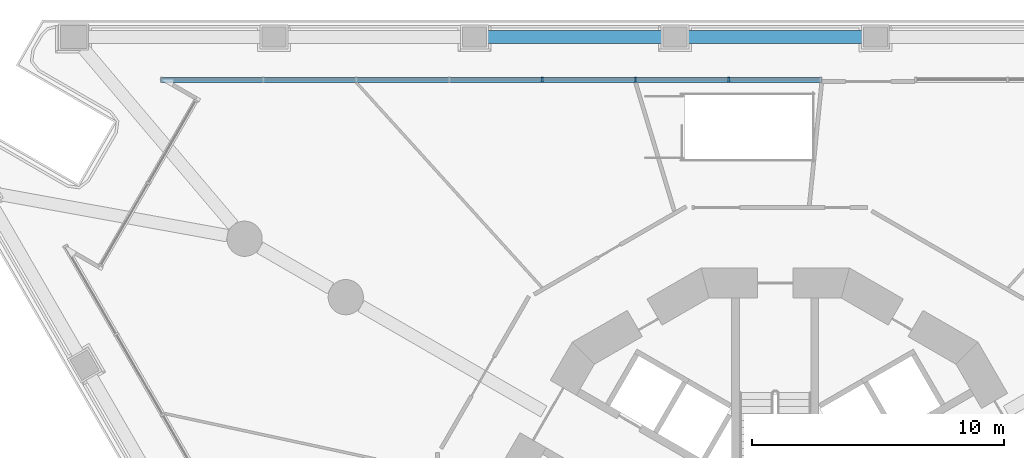
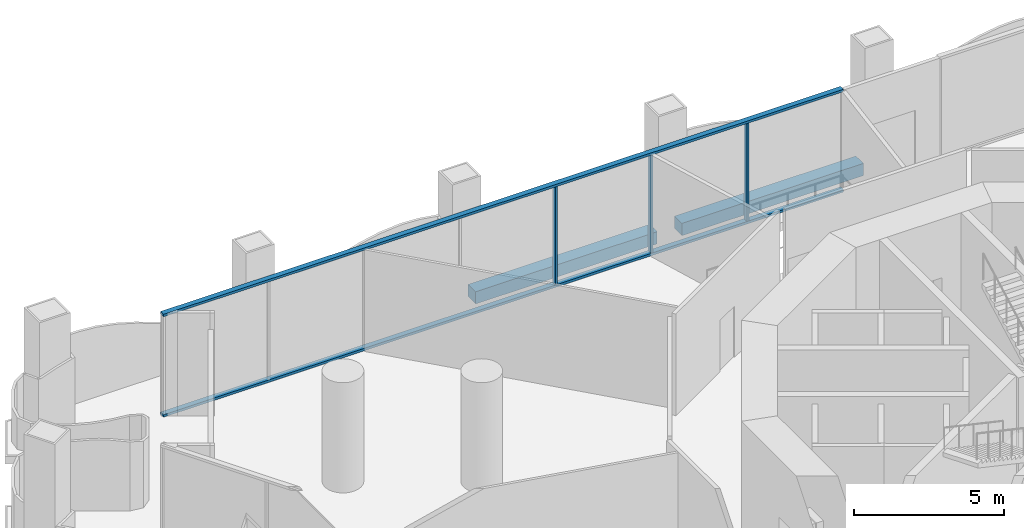
# One storey, part 6 of 21: 5 members, 2 beams, 1 element without a shape of its own.
"""IFC4 building model written with IfcOpenShell, lengths in metres."""

import ifcopenshell
import ifcopenshell.guid

model = None  # the IFC model being written
_history = None  # IfcOwnerHistory: only IFC2X3 demands one
_inside = {}  # id of a spatial element -> (the spatial element, [elements in it])
_under = {}  # id of a project, library or spatial element -> (it, [spatial elements below it])
_declared = {}  # id of a project -> (the project, [libraries it declares])
_typed = {}  # id of a type object -> (the type object, [elements of that type])
_made_of = {}  # id of a material, layer set ... -> (it, [elements and type objects made of it])


def new_model(schema):
    """Start an empty IFC model of exactly this schema.

    Asked for "IFC4X3", IfcOpenShell would pick the latest addendum, in which some entities
    have other attributes; the version numbers below select the first issue.
    IFC2X3 requires an IfcOwnerHistory on every rooted entity: one is made here for all.
    """
    global model, _history
    if schema == "IFC4X3":
        model = ifcopenshell.file(schema_version=(4, 3, 0, 0))
    else:
        model = ifcopenshell.file(schema=schema)
    _inside.clear()
    _under.clear()
    _declared.clear()
    _typed.clear()
    _made_of.clear()
    _history = None
    if model.schema == "IFC2X3":
        org = make("IfcOrganization", Name="unknown")
        user = make(
            "IfcPersonAndOrganization",
            ThePerson=make("IfcPerson", FamilyName="unknown"),
            TheOrganization=org,
        )
        app = make(
            "IfcApplication",
            ApplicationDeveloper=org,
            Version="unknown",
            ApplicationFullName="unknown",
            ApplicationIdentifier="unknown",
        )
        _history = make(
            "IfcOwnerHistory",
            OwningUser=user,
            OwningApplication=app,
            ChangeAction="ADDED",
            CreationDate=0,
        )
    return model


def make(cls, **values):
    """One entity of the class cls with the attributes given. An attribute that is None is left unset."""
    return model.create_entity(
        cls, **{name: value for name, value in values.items() if value is not None}
    )


def rooted(cls, **values):
    """An entity with a GlobalId (a new one), such as an element, a storey or a relation."""
    return make(cls, GlobalId=ifcopenshell.guid.new(), OwnerHistory=_history, **values)


def si_unit(unit_type, name, prefix=None):
    """IfcSIUnit, for example si_unit("LENGTHUNIT", "METRE", prefix="MILLI")."""
    return make("IfcSIUnit", UnitType=unit_type, Prefix=prefix, Name=name)


def assignment(units):
    """IfcUnitAssignment: the units of a project."""
    return None if units is None else make("IfcUnitAssignment", Units=units)


def point(xyz):
    """IfcCartesianPoint."""
    return None if xyz is None else make("IfcCartesianPoint", Coordinates=xyz)


def direction(xyz):
    """IfcDirection."""
    return None if xyz is None else make("IfcDirection", DirectionRatios=xyz)


def frame(location, z_axis=None, x_axis=None):
    """IfcAxis2Placement3D, a coordinate frame: its origin and axes. An axis left out is left unset."""
    return make(
        "IfcAxis2Placement3D",
        Location=point(location),
        Axis=direction(z_axis),
        RefDirection=direction(x_axis),
    )


def frame_2d(location, x_axis=None):
    """IfcAxis2Placement2D, a coordinate frame in the plane: its origin and x axis."""
    return make(
        "IfcAxis2Placement2D", Location=point(location), RefDirection=direction(x_axis)
    )


def origin():
    """The frame at (0, 0, 0) with its axes left unset."""
    return frame((0.0, 0.0, 0.0))


def origin_2d():
    """The frame at (0, 0) in the plane with its x axis left unset."""
    return frame_2d((0.0, 0.0))


def place(relative_to, where):
    """IfcLocalPlacement: puts the frame where relative to a parent placement (None: the world)."""
    return make(
        "IfcLocalPlacement", PlacementRelTo=relative_to, RelativePlacement=where
    )


def context(
    kind, dimensions, precision=None, world=None, true_north=None, identifier=None
):
    """IfcGeometricRepresentationContext, for example the 3D "Model" context."""
    return make(
        "IfcGeometricRepresentationContext",
        ContextIdentifier=identifier,
        ContextType=kind,
        CoordinateSpaceDimension=dimensions,
        Precision=precision,
        WorldCoordinateSystem=world,
        TrueNorth=true_north,
    )


def subcontext(parent, identifier, kind, view, scale=None):
    """IfcGeometricRepresentationSubContext, for example "Body" below "Model"."""
    return make(
        "IfcGeometricRepresentationSubContext",
        ContextIdentifier=identifier,
        ContextType=kind,
        ParentContext=parent,
        TargetScale=scale,
        TargetView=view,
    )


def project(units=None, contexts=None):
    """IfcProject with its units and contexts."""
    return rooted(
        "IfcProject",
        Name="project",
        RepresentationContexts=contexts,
        UnitsInContext=assignment(units),
    )


def spatial(cls, under=None, at=None, **own):
    """A site, building, storey or space (cls), placed at a placement, below another one or the project."""
    s = rooted(cls, ObjectPlacement=at, **own)
    if under is not None:
        _under.setdefault(under.id(), (under, []))[1].append(s)
    return s


def profile(cls, at=None, kind="AREA", **sizes):
    """A parametric profile (cls). Its sizes go by their IFC names, for example OverallWidth=200.0."""
    return make(cls, ProfileType=kind, Position=at, **sizes)


def rectangle(**sizes):
    """IfcRectangleProfileDef."""
    return profile("IfcRectangleProfileDef", **sizes)


def extrude(swept, where, along, depth):
    """IfcExtrudedAreaSolid: the profile swept, set in the frame where, extruded along a direction by depth."""
    return make(
        "IfcExtrudedAreaSolid",
        SweptArea=swept,
        Position=where,
        ExtrudedDirection=direction(along),
        Depth=depth,
    )


def shape(context_of_items, identifier, shape_type, items):
    """IfcShapeRepresentation: the items that make up one representation, for example the "Body"."""
    return make(
        "IfcShapeRepresentation",
        ContextOfItems=context_of_items,
        RepresentationIdentifier=identifier,
        RepresentationType=shape_type,
        Items=items,
    )


def material(Name=None, Category=None):
    """IfcMaterial."""
    return make("IfcMaterial", Name=Name, Category=Category)


def layer(
    of_material, thickness, ventilated=None, Name=None, Category=None, Priority=None
):
    """IfcMaterialLayer: one layer of a wall or slab, of a material (None: an air gap)."""
    return make(
        "IfcMaterialLayer",
        Material=of_material,
        LayerThickness=thickness,
        IsVentilated=ventilated,
        Name=Name,
        Category=Category,
        Priority=Priority,
    )


def layer_set(layers, Name=None):
    """IfcMaterialLayerSet."""
    return make("IfcMaterialLayerSet", MaterialLayers=layers, LayerSetName=Name)


def material_profile(
    of_material, cross_section, Name=None, Category=None, Priority=None
):
    """IfcMaterialProfile: a cross section and its material."""
    return make(
        "IfcMaterialProfile",
        Name=Name,
        Material=of_material,
        Profile=cross_section,
        Priority=Priority,
        Category=Category,
    )


def profile_set(profiles, Name=None, composite=None):
    """IfcMaterialProfileSet."""
    return make(
        "IfcMaterialProfileSet",
        Name=Name,
        MaterialProfiles=profiles,
        CompositeProfile=composite,
    )


def made_of(thing, what):
    """Note that an element or type object is made of a material, layer set ...; save() writes the relation."""
    if what is not None:
        _made_of.setdefault(what.id(), (what, []))[1].append(thing)
    return thing


def type_object(cls, material=None, **own):
    """A type object (cls), such as IfcWallType, which elements share."""
    return made_of(rooted(cls, **own), material)


def element(
    cls,
    number,
    at=None,
    inside=None,
    cuts=None,
    type_object=None,
    material=None,
    context=None,
    identifier="Body",
    shape_type=None,
    held_by="IfcProductDefinitionShape",
    body=None,
    shapes=None,
    **own,
):
    """One element of the class cls, such as IfcWall. Its Tag is "e" and its number.

    at: its placement. inside: the storey or other place that contains it. cuts: it is an
    opening in that element (IfcRelVoidsElement). A single representation is given by context,
    identifier, shape_type and body (its items); several are given by shapes. held_by: the class
    of the entity that holds the representations. save() writes the other relations.
    """
    e = rooted(cls, Tag="e%d" % number, ObjectPlacement=at, **own)
    if body is not None:
        shapes = [shape(context, identifier, shape_type, body)]
    if shapes is not None:
        e.Representation = make(held_by, Representations=shapes)
    if inside is not None:
        _inside.setdefault(inside.id(), (inside, []))[1].append(e)
    if cuts is not None:
        rooted(
            "IfcRelVoidsElement", RelatingBuildingElement=cuts, RelatedOpeningElement=e
        )
    if type_object is not None:
        _typed.setdefault(type_object.id(), (type_object, []))[1].append(e)
    return made_of(e, material)


def aggregate(whole, parts):
    """IfcRelAggregates: a whole, such as a stair, and the parts it consists of."""
    return rooted("IfcRelAggregates", RelatingObject=whole, RelatedObjects=parts)


def save(model, path):
    """Write the relations noted so far, then the file.

    IfcRelAggregates (storeys below a building ...), IfcRelContainedInSpatialStructure (elements
    in a storey), IfcRelDefinesByType, IfcRelAssociatesMaterial and IfcRelDeclares: one each for
    every whole, place, type object, material and project.
    """
    for whole, parts in _under.values():
        aggregate(whole, parts)
    for where, things in _inside.values():
        rooted(
            "IfcRelContainedInSpatialStructure",
            RelatedElements=things,
            RelatingStructure=where,
        )
    for kind, things in _typed.values():
        rooted("IfcRelDefinesByType", RelatedObjects=things, RelatingType=kind)
    for what, things in _made_of.values():
        rooted("IfcRelAssociatesMaterial", RelatedObjects=things, RelatingMaterial=what)
    for by, libraries in _declared.values():
        rooted("IfcRelDeclares", RelatingContext=by, RelatedDefinitions=libraries)
    model.write(path)


model = new_model("IFC4")

# Units and contexts
model_context = context("Model", 3, precision=1e-05, world=origin(), true_north=direction((0.0, 1.0)))
body_context = subcontext(model_context, "Body", "Model", "MODEL_VIEW")
ifc_project = project(units=[si_unit("LENGTHUNIT", "METRE"), si_unit("AREAUNIT", "SQUARE_METRE"), si_unit("VOLUMEUNIT", "CUBIC_METRE"), si_unit("PLANEANGLEUNIT", "RADIAN"), si_unit("MASSUNIT", "GRAM", prefix="KILO")], contexts=[model_context])

# Site, building, storey
site_placement = place(None, origin())
site = spatial("IfcSite", under=ifc_project, at=site_placement, CompositionType="ELEMENT")
building_placement = place(site_placement, origin())
building = spatial("IfcBuilding", under=site, at=building_placement, Name="Trine Commons Tower", CompositionType="ELEMENT")
storey_placement = place(building_placement, frame((0.0, 0.0, 27.0)))
storey = spatial("IfcBuildingStorey", under=building, at=storey_placement, Name="L05", CompositionType="ELEMENT", Elevation=27.0)

# Curtain wall, members
ifc_material_1 = material(Name="Podium glazing: anodised aluminium frame with low-emissivity double glazed unit", Category="aluminium")
ifc_layer = layer(ifc_material_1, 0.199951171875)
ifc_layer_set = layer_set([ifc_layer], Name="Podium glazing: anodised aluminium frame with low-emissivity double glazed unit")
curtain_wall_type = type_object("IfcCurtainWallType", Name="Podium glazing curtain wall CW3", PredefinedType="NOTDEFINED", material=ifc_layer_set)
curtain_wall_placement = place(storey_placement, origin())
curtain_wall = element("IfcCurtainWall", 1, at=curtain_wall_placement, inside=storey, type_object=curtain_wall_type, Name="Podium glazing L05 F1.1", PredefinedType="NOTDEFINED")
ifc_material_2 = material(Name="Anodised aluminium, bronze finish", Category="aluminium")
ifc_material_profile_1 = material_profile(ifc_material_2, rectangle(XDim=0.199951171875, YDim=0.074951171875, at=origin_2d()), Name="Mullion 75x200")
ifc_profile_set_1 = profile_set([ifc_material_profile_1], Name="Anodised aluminium, bronze finish")
member_type_1 = type_object("IfcMemberType", Name="Mullion 75x200, Anodised aluminium, bronze finish", PredefinedType="MULLION", material=ifc_profile_set_1)
member_1_placement = place(storey_placement, frame((70.75244140625, 80.984619140625, 0.10009765625), z_axis=(0.0, 0.0, 1.0), x_axis=(0.0, 1.0, 0.0)))
member_1 = element("IfcMember", 2, at=member_1_placement, type_object=member_type_1, Name="CW3 mullion 5.1", PredefinedType="MULLION", context=body_context, shape_type="SweptSolid", body=[
    extrude(rectangle(XDim=0.199951171875, YDim=0.074951171875, at=origin_2d()), origin(), (0.0, 0.0, 1.0), 4.0),
])
member_2_placement = place(storey_placement, frame((74.451416015625, 80.984619140625, 0.10009765625), z_axis=(0.0, 0.0, 1.0), x_axis=(0.0, 1.0, 0.0)))
member_2 = element("IfcMember", 3, at=member_2_placement, type_object=member_type_1, Name="CW3 mullion 6.1", PredefinedType="MULLION", context=body_context, shape_type="SweptSolid", body=[
    extrude(rectangle(XDim=0.199951171875, YDim=0.074951171875, at=origin_2d()), origin(), (0.0, 0.0, 1.0), 4.0),
])
member_3_placement = place(storey_placement, frame((78.150390625, 80.984619140625, 0.10009765625), z_axis=(0.0, 0.0, 1.0), x_axis=(0.0, 1.0, 0.0)))
member_3 = element("IfcMember", 4, at=member_3_placement, type_object=member_type_1, Name="CW3 mullion 7.1", PredefinedType="MULLION", context=body_context, shape_type="SweptSolid", body=[
    extrude(rectangle(XDim=0.199951171875, YDim=0.074951171875, at=origin_2d()), origin(), (0.0, 0.0, 1.0), 4.0),
])

# Beams
ifc_material_3 = material(Name="Concrete C50/60", Category="concrete")
ifc_material_profile_2 = material_profile(ifc_material_3, rectangle(XDim=0.5, YDim=0.5, at=origin_2d()), Name="RC 500x500")
ifc_profile_set_2 = profile_set([ifc_material_profile_2], Name="Concrete C50/60")
beam_type = type_object("IfcBeamType", Name="RC beam 500x500, C50/60", PredefinedType="BEAM", material=ifc_profile_set_2)
beam_1_placement = place(storey_placement, frame((68.52978515625, 82.6845703125, -0.60009765625), z_axis=(1.0, 0.0, 0.0), x_axis=(0.0, 1.0, 0.0)))
element("IfcBeam", 5, at=beam_1_placement, inside=storey, type_object=beam_type, Name="Beam EB1-10 L05", PredefinedType="BEAM", context=body_context, shape_type="SweptSolid", body=[
    extrude(rectangle(XDim=0.5, YDim=0.5, at=origin_2d()), origin(), (0.0, 0.0, 1.0), 7.013427734375),
])
beam_2_placement = place(storey_placement, frame((76.493408203125, 82.6845703125, -0.60009765625), z_axis=(1.0, 0.0, 0.0), x_axis=(0.0, 1.0, 0.0)))
element("IfcBeam", 6, at=beam_2_placement, inside=storey, type_object=beam_type, Name="Beam EB1-11 L05", PredefinedType="BEAM", context=body_context, shape_type="SweptSolid", body=[
    extrude(rectangle(XDim=0.5, YDim=0.5, at=origin_2d()), origin(), (0.0, 0.0, 1.0), 7.01318359375),
])

# Member
ifc_material_profile_3 = material_profile(ifc_material_2, rectangle(XDim=0.199951171875, YDim=0.10009765625, at=origin_2d()), Name="Transom 100x200")
ifc_profile_set_3 = profile_set([ifc_material_profile_3], Name="Anodised aluminium, bronze finish")
member_type_2 = type_object("IfcMemberType", Name="Transom 100x200, Anodised aluminium, bronze finish", PredefinedType="USERDEFINED", material=ifc_profile_set_3)
member_4_placement = place(storey_placement, frame((55.583740234375, 80.984619140625, 0.050048828125), z_axis=(1.0, 0.0, 0.0), x_axis=(0.0, 1.0, 0.0)))
member_4 = element("IfcMember", 7, at=member_4_placement, type_object=member_type_2, Name="CW3 transom T00", ObjectType="TRANSOM", PredefinedType="USERDEFINED", context=body_context, shape_type="SweptSolid", body=[
    extrude(rectangle(XDim=0.199951171875, YDim=0.10009765625, at=origin_2d()), origin(), (0.0, 0.0, 1.0), 26.265380859375),
])

member_5_placement = place(storey_placement, frame((55.583740234375, 80.984619140625, 4.14990234375), z_axis=(1.0, 0.0, 0.0), x_axis=(0.0, 1.0, 0.0)))
member_5 = element("IfcMember", 8, at=member_5_placement, type_object=member_type_2, Name="CW3 transom TH00", ObjectType="TRANSOM", PredefinedType="USERDEFINED", context=body_context, shape_type="SweptSolid", body=[
    extrude(rectangle(XDim=0.199951171875, YDim=0.10009765625, at=origin_2d()), origin(), (0.0, 0.0, 1.0), 26.265380859375),
])

aggregate(curtain_wall, [member_4, member_5, member_1, member_2, member_3])

save(model, "model.ifc")
